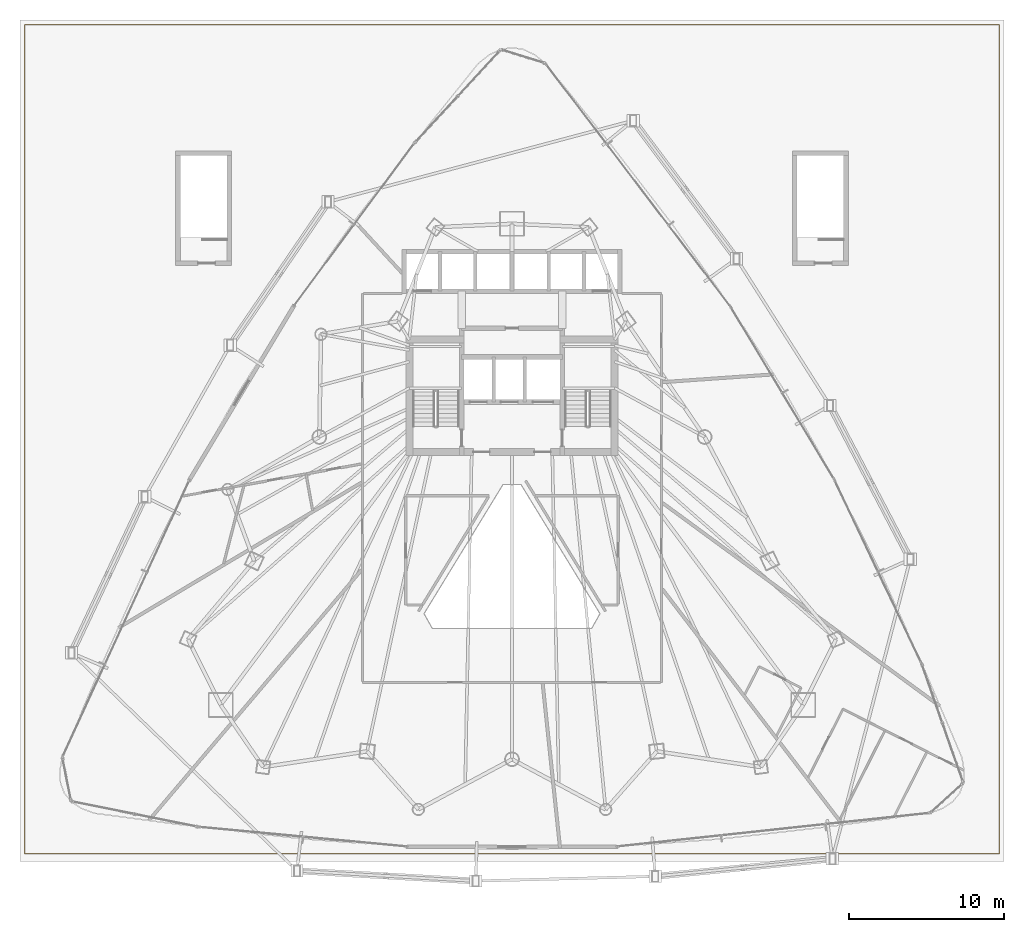
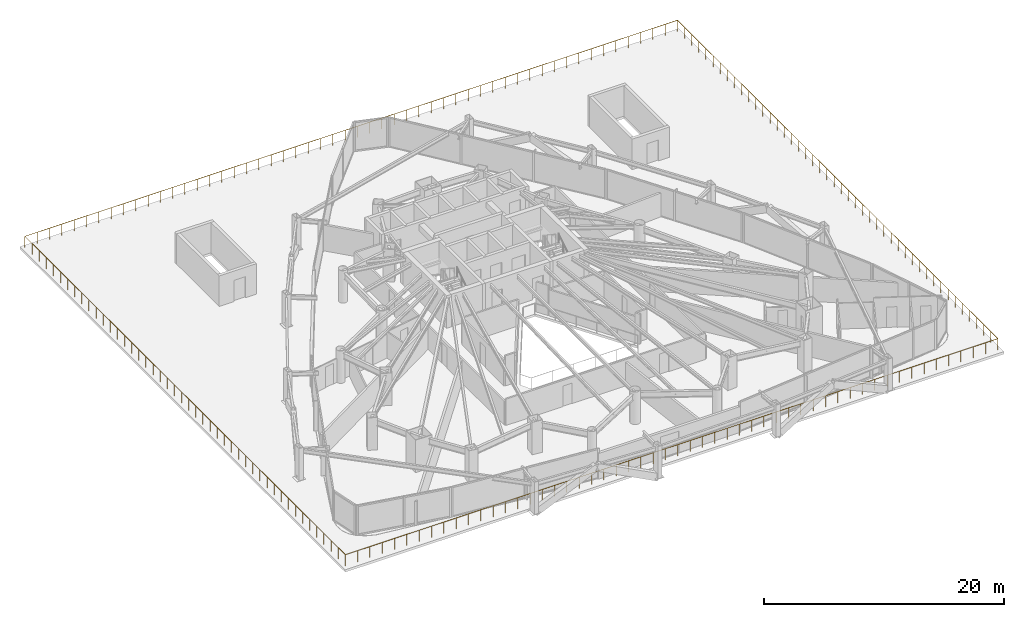
# One storey, part 34 of 36: 1 railing.
"""IFC4 building model written with IfcOpenShell, lengths in metres."""

from ifc_helpers import new_model, si_unit, direction, frame, origin, origin_2d, place, context, subcontext, project, spatial, circle, extrude, material, type_object, element, save


model = new_model("IFC4")

# Units and contexts
model_context = context("Model", 3, precision=1e-05, world=origin(), true_north=direction((0.0, 1.0)))
body_context = subcontext(model_context, "Body", "Model", "MODEL_VIEW")
ifc_project = project(units=[si_unit("LENGTHUNIT", "METRE"), si_unit("AREAUNIT", "SQUARE_METRE"), si_unit("VOLUMEUNIT", "CUBIC_METRE"), si_unit("PLANEANGLEUNIT", "RADIAN"), si_unit("MASSUNIT", "GRAM", prefix="KILO")], contexts=[model_context])

# Site, building, storey
site_placement = place(None, origin())
site = spatial("IfcSite", under=ifc_project, at=site_placement, CompositionType="ELEMENT")
building_placement = place(site_placement, origin())
building = spatial("IfcBuilding", under=site, at=building_placement, Name="Orvanel Arch Residences", CompositionType="ELEMENT")
storey_placement = place(building_placement, frame((0.0, 0.0, 23.60009765625)))
storey = spatial("IfcBuildingStorey", under=building, at=storey_placement, Name="L05", CompositionType="ELEMENT", Elevation=23.60009765625)

# Railing
ifc_material = material(Name="Bronze-anodised aluminium AA6063-T6", Category="aluminium")
railing_type = type_object("IfcRailingType", Name="RL-TER-1150", PredefinedType="GUARDRAIL", material=ifc_material)
railing_placement = place(storey_placement, frame((1.550048828125, 0.75, 0.0)))
element("IfcRailing", 1, at=railing_placement, inside=storey, type_object=railing_type, Name="L05 Planted Podium Roof Terrace Perimeter Guardrail", PredefinedType="GUARDRAIL", context=body_context, shape_type="SweptSolid", body=[
    extrude(circle(Radius=0.02392578125, at=origin_2d()), frame((0.00146484375, 0.0, 1.1259765625), z_axis=(1.0, 0.0, 0.0), x_axis=(0.0, 1.0, 0.0)), (0.0, 0.0, 1.0), 62.89697265625),
    extrude(circle(Radius=0.02392578125, at=origin_2d()), frame((62.89990234375, 0.00146484375, 1.1259765625), z_axis=(0.0, 1.0, 0.0), x_axis=(-1.0, 0.0, 0.0)), (0.0, 0.0, 1.0), 53.4970703125),
    extrude(circle(Radius=0.02392578125, at=origin_2d()), frame((62.8984375, 53.5, 1.1259765625), z_axis=(-1.0, 0.0, 0.0), x_axis=(0.0, -1.0, 0.0)), (0.0, 0.0, 1.0), 62.89697265625),
    extrude(circle(Radius=0.02392578125, at=origin_2d()), frame((0.0, 53.49853515625, 1.1259765625), z_axis=(0.0, -1.0, 0.0), x_axis=(1.0, 0.0, 0.0)), (0.0, 0.0, 1.0), 53.4970703125),
    extrude(circle(Radius=0.02099609375, at=origin_2d()), origin(), (0.0, 0.0, 1.0), 1.099853515625),
    extrude(circle(Radius=0.02099609375, at=origin_2d()), frame((1.186767578125, 0.0, 0.0)), (0.0, 0.0, 1.0), 1.099853515625),
    extrude(circle(Radius=0.02099609375, at=origin_2d()), frame((2.37353515625, 0.0, 0.0)), (0.0, 0.0, 1.0), 1.099853515625),
    extrude(circle(Radius=0.02099609375, at=origin_2d()), frame((3.560302734375, 0.0, 0.0)), (0.0, 0.0, 1.0), 1.099853515625),
    extrude(circle(Radius=0.02099609375, at=origin_2d()), frame((4.7470703125, 0.0, 0.0)), (0.0, 0.0, 1.0), 1.099853515625),
    extrude(circle(Radius=0.02099609375, at=origin_2d()), frame((5.933837890625, 0.0, 0.0)), (0.0, 0.0, 1.0), 1.099853515625),
    extrude(circle(Radius=0.02099609375, at=origin_2d()), frame((7.120849609375, 0.0, 0.0)), (0.0, 0.0, 1.0), 1.099853515625),
    extrude(circle(Radius=0.02099609375, at=origin_2d()), frame((8.3076171875, 0.0, 0.0)), (0.0, 0.0, 1.0), 1.099853515625),
    extrude(circle(Radius=0.02099609375, at=origin_2d()), frame((9.494384765625, 0.0, 0.0)), (0.0, 0.0, 1.0), 1.099853515625),
    extrude(circle(Radius=0.02099609375, at=origin_2d()), frame((10.68115234375, 0.0, 0.0)), (0.0, 0.0, 1.0), 1.099853515625),
    extrude(circle(Radius=0.02099609375, at=origin_2d()), frame((11.867919921875, 0.0, 0.0)), (0.0, 0.0, 1.0), 1.099853515625),
    extrude(circle(Radius=0.02099609375, at=origin_2d()), frame((13.0546875, 0.0, 0.0)), (0.0, 0.0, 1.0), 1.099853515625),
    extrude(circle(Radius=0.02099609375, at=origin_2d()), frame((14.241455078125, 0.0, 0.0)), (0.0, 0.0, 1.0), 1.099853515625),
    extrude(circle(Radius=0.02099609375, at=origin_2d()), frame((15.42822265625, 0.0, 0.0)), (0.0, 0.0, 1.0), 1.099853515625),
    extrude(circle(Radius=0.02099609375, at=origin_2d()), frame((16.614990234375, 0.0, 0.0)), (0.0, 0.0, 1.0), 1.099853515625),
    extrude(circle(Radius=0.02099609375, at=origin_2d()), frame((17.8017578125, 0.0, 0.0)), (0.0, 0.0, 1.0), 1.099853515625),
    extrude(circle(Radius=0.02099609375, at=origin_2d()), frame((18.98876953125, 0.0, 0.0)), (0.0, 0.0, 1.0), 1.099853515625),
    extrude(circle(Radius=0.02099609375, at=origin_2d()), frame((20.175537109375, 0.0, 0.0)), (0.0, 0.0, 1.0), 1.099853515625),
    extrude(circle(Radius=0.02099609375, at=origin_2d()), frame((21.3623046875, 0.0, 0.0)), (0.0, 0.0, 1.0), 1.099853515625),
    extrude(circle(Radius=0.02099609375, at=origin_2d()), frame((22.549072265625, 0.0, 0.0)), (0.0, 0.0, 1.0), 1.099853515625),
    extrude(circle(Radius=0.02099609375, at=origin_2d()), frame((23.73583984375, 0.0, 0.0)), (0.0, 0.0, 1.0), 1.099853515625),
    extrude(circle(Radius=0.02099609375, at=origin_2d()), frame((24.922607421875, 0.0, 0.0)), (0.0, 0.0, 1.0), 1.099853515625),
    extrude(circle(Radius=0.02099609375, at=origin_2d()), frame((26.109375, 0.0, 0.0)), (0.0, 0.0, 1.0), 1.099853515625),
    extrude(circle(Radius=0.02099609375, at=origin_2d()), frame((27.296142578125, 0.0, 0.0)), (0.0, 0.0, 1.0), 1.099853515625),
    extrude(circle(Radius=0.02099609375, at=origin_2d()), frame((28.48291015625, 0.0, 0.0)), (0.0, 0.0, 1.0), 1.099853515625),
    extrude(circle(Radius=0.02099609375, at=origin_2d()), frame((29.669677734375, 0.0, 0.0)), (0.0, 0.0, 1.0), 1.099853515625),
    extrude(circle(Radius=0.02099609375, at=origin_2d()), frame((30.8564453125, 0.0, 0.0)), (0.0, 0.0, 1.0), 1.099853515625),
    extrude(circle(Radius=0.02099609375, at=origin_2d()), frame((32.04345703125, 0.0, 0.0)), (0.0, 0.0, 1.0), 1.099853515625),
    extrude(circle(Radius=0.02099609375, at=origin_2d()), frame((33.230224609375, 0.0, 0.0)), (0.0, 0.0, 1.0), 1.099853515625),
    extrude(circle(Radius=0.02099609375, at=origin_2d()), frame((34.4169921875, 0.0, 0.0)), (0.0, 0.0, 1.0), 1.099853515625),
    extrude(circle(Radius=0.02099609375, at=origin_2d()), frame((35.603759765625, 0.0, 0.0)), (0.0, 0.0, 1.0), 1.099853515625),
    extrude(circle(Radius=0.02099609375, at=origin_2d()), frame((36.79052734375, 0.0, 0.0)), (0.0, 0.0, 1.0), 1.099853515625),
    extrude(circle(Radius=0.02099609375, at=origin_2d()), frame((37.977294921875, 0.0, 0.0)), (0.0, 0.0, 1.0), 1.099853515625),
    extrude(circle(Radius=0.02099609375, at=origin_2d()), frame((39.1640625, 0.0, 0.0)), (0.0, 0.0, 1.0), 1.099853515625),
    extrude(circle(Radius=0.02099609375, at=origin_2d()), frame((40.350830078125, 0.0, 0.0)), (0.0, 0.0, 1.0), 1.099853515625),
    extrude(circle(Radius=0.02099609375, at=origin_2d()), frame((41.53759765625, 0.0, 0.0)), (0.0, 0.0, 1.0), 1.099853515625),
    extrude(circle(Radius=0.02099609375, at=origin_2d()), frame((42.724365234375, 0.0, 0.0)), (0.0, 0.0, 1.0), 1.099853515625),
    extrude(circle(Radius=0.02099609375, at=origin_2d()), frame((43.9111328125, 0.0, 0.0)), (0.0, 0.0, 1.0), 1.099853515625),
    extrude(circle(Radius=0.02099609375, at=origin_2d()), frame((45.09814453125, 0.0, 0.0)), (0.0, 0.0, 1.0), 1.099853515625),
    extrude(circle(Radius=0.02099609375, at=origin_2d()), frame((46.284912109375, 0.0, 0.0)), (0.0, 0.0, 1.0), 1.099853515625),
    extrude(circle(Radius=0.02099609375, at=origin_2d()), frame((47.4716796875, 0.0, 0.0)), (0.0, 0.0, 1.0), 1.099853515625),
    extrude(circle(Radius=0.02099609375, at=origin_2d()), frame((48.658447265625, 0.0, 0.0)), (0.0, 0.0, 1.0), 1.099853515625),
    extrude(circle(Radius=0.02099609375, at=origin_2d()), frame((49.84521484375, 0.0, 0.0)), (0.0, 0.0, 1.0), 1.099853515625),
    extrude(circle(Radius=0.02099609375, at=origin_2d()), frame((51.031982421875, 0.0, 0.0)), (0.0, 0.0, 1.0), 1.099853515625),
    extrude(circle(Radius=0.02099609375, at=origin_2d()), frame((52.21875, 0.0, 0.0)), (0.0, 0.0, 1.0), 1.099853515625),
    extrude(circle(Radius=0.02099609375, at=origin_2d()), frame((53.405517578125, 0.0, 0.0)), (0.0, 0.0, 1.0), 1.099853515625),
    extrude(circle(Radius=0.02099609375, at=origin_2d()), frame((54.59228515625, 0.0, 0.0)), (0.0, 0.0, 1.0), 1.099853515625),
    extrude(circle(Radius=0.02099609375, at=origin_2d()), frame((55.779052734375, 0.0, 0.0)), (0.0, 0.0, 1.0), 1.099853515625),
    extrude(circle(Radius=0.02099609375, at=origin_2d()), frame((56.966064453125, 0.0, 0.0)), (0.0, 0.0, 1.0), 1.099853515625),
    extrude(circle(Radius=0.02099609375, at=origin_2d()), frame((58.15283203125, 0.0, 0.0)), (0.0, 0.0, 1.0), 1.099853515625),
    extrude(circle(Radius=0.02099609375, at=origin_2d()), frame((59.339599609375, 0.0, 0.0)), (0.0, 0.0, 1.0), 1.099853515625),
    extrude(circle(Radius=0.02099609375, at=origin_2d()), frame((60.5263671875, 0.0, 0.0)), (0.0, 0.0, 1.0), 1.099853515625),
    extrude(circle(Radius=0.02099609375, at=origin_2d()), frame((61.713134765625, 0.0, 0.0)), (0.0, 0.0, 1.0), 1.099853515625),
    extrude(circle(Radius=0.02099609375, at=origin_2d()), frame((62.89990234375, 0.0, 0.0)), (0.0, 0.0, 1.0), 1.099853515625),
    extrude(circle(Radius=0.02099609375, at=origin_2d()), frame((62.89990234375, 1.18896484375, 0.0)), (0.0, 0.0, 1.0), 1.099853515625),
    extrude(circle(Radius=0.02099609375, at=origin_2d()), frame((62.89990234375, 2.377685546875, 0.0)), (0.0, 0.0, 1.0), 1.099853515625),
    extrude(circle(Radius=0.02099609375, at=origin_2d()), frame((62.89990234375, 3.566650390625, 0.0)), (0.0, 0.0, 1.0), 1.099853515625),
    extrude(circle(Radius=0.02099609375, at=origin_2d()), frame((62.89990234375, 4.755615234375, 0.0)), (0.0, 0.0, 1.0), 1.099853515625),
    extrude(circle(Radius=0.02099609375, at=origin_2d()), frame((62.89990234375, 5.9443359375, 0.0)), (0.0, 0.0, 1.0), 1.099853515625),
    extrude(circle(Radius=0.02099609375, at=origin_2d()), frame((62.89990234375, 7.13330078125, 0.0)), (0.0, 0.0, 1.0), 1.099853515625),
    extrude(circle(Radius=0.02099609375, at=origin_2d()), frame((62.89990234375, 8.322265625, 0.0)), (0.0, 0.0, 1.0), 1.099853515625),
    extrude(circle(Radius=0.02099609375, at=origin_2d()), frame((62.89990234375, 9.51123046875, 0.0)), (0.0, 0.0, 1.0), 1.099853515625),
    extrude(circle(Radius=0.02099609375, at=origin_2d()), frame((62.89990234375, 10.699951171875, 0.0)), (0.0, 0.0, 1.0), 1.099853515625),
    extrude(circle(Radius=0.02099609375, at=origin_2d()), frame((62.89990234375, 11.888916015625, 0.0)), (0.0, 0.0, 1.0), 1.099853515625),
    extrude(circle(Radius=0.02099609375, at=origin_2d()), frame((62.89990234375, 13.077880859375, 0.0)), (0.0, 0.0, 1.0), 1.099853515625),
    extrude(circle(Radius=0.02099609375, at=origin_2d()), frame((62.89990234375, 14.2666015625, 0.0)), (0.0, 0.0, 1.0), 1.099853515625),
    extrude(circle(Radius=0.02099609375, at=origin_2d()), frame((62.89990234375, 15.45556640625, 0.0)), (0.0, 0.0, 1.0), 1.099853515625),
    extrude(circle(Radius=0.02099609375, at=origin_2d()), frame((62.89990234375, 16.64453125, 0.0)), (0.0, 0.0, 1.0), 1.099853515625),
    extrude(circle(Radius=0.02099609375, at=origin_2d()), frame((62.89990234375, 17.833251953125, 0.0)), (0.0, 0.0, 1.0), 1.099853515625),
    extrude(circle(Radius=0.02099609375, at=origin_2d()), frame((62.89990234375, 19.022216796875, 0.0)), (0.0, 0.0, 1.0), 1.099853515625),
    extrude(circle(Radius=0.02099609375, at=origin_2d()), frame((62.89990234375, 20.211181640625, 0.0)), (0.0, 0.0, 1.0), 1.099853515625),
    extrude(circle(Radius=0.02099609375, at=origin_2d()), frame((62.89990234375, 21.39990234375, 0.0)), (0.0, 0.0, 1.0), 1.099853515625),
    extrude(circle(Radius=0.02099609375, at=origin_2d()), frame((62.89990234375, 22.5888671875, 0.0)), (0.0, 0.0, 1.0), 1.099853515625),
    extrude(circle(Radius=0.02099609375, at=origin_2d()), frame((62.89990234375, 23.77783203125, 0.0)), (0.0, 0.0, 1.0), 1.099853515625),
    extrude(circle(Radius=0.02099609375, at=origin_2d()), frame((62.89990234375, 24.966552734375, 0.0)), (0.0, 0.0, 1.0), 1.099853515625),
    extrude(circle(Radius=0.02099609375, at=origin_2d()), frame((62.89990234375, 26.155517578125, 0.0)), (0.0, 0.0, 1.0), 1.099853515625),
    extrude(circle(Radius=0.02099609375, at=origin_2d()), frame((62.89990234375, 27.344482421875, 0.0)), (0.0, 0.0, 1.0), 1.099853515625),
    extrude(circle(Radius=0.02099609375, at=origin_2d()), frame((62.89990234375, 28.533447265625, 0.0)), (0.0, 0.0, 1.0), 1.099853515625),
    extrude(circle(Radius=0.02099609375, at=origin_2d()), frame((62.89990234375, 29.72216796875, 0.0)), (0.0, 0.0, 1.0), 1.099853515625),
    extrude(circle(Radius=0.02099609375, at=origin_2d()), frame((62.89990234375, 30.9111328125, 0.0)), (0.0, 0.0, 1.0), 1.099853515625),
    extrude(circle(Radius=0.02099609375, at=origin_2d()), frame((62.89990234375, 32.10009765625, 0.0)), (0.0, 0.0, 1.0), 1.099853515625),
    extrude(circle(Radius=0.02099609375, at=origin_2d()), frame((62.89990234375, 33.288818359375, 0.0)), (0.0, 0.0, 1.0), 1.099853515625),
    extrude(circle(Radius=0.02099609375, at=origin_2d()), frame((62.89990234375, 34.477783203125, 0.0)), (0.0, 0.0, 1.0), 1.099853515625),
    extrude(circle(Radius=0.02099609375, at=origin_2d()), frame((62.89990234375, 35.666748046875, 0.0)), (0.0, 0.0, 1.0), 1.099853515625),
    extrude(circle(Radius=0.02099609375, at=origin_2d()), frame((62.89990234375, 36.85546875, 0.0)), (0.0, 0.0, 1.0), 1.099853515625),
    extrude(circle(Radius=0.02099609375, at=origin_2d()), frame((62.89990234375, 38.04443359375, 0.0)), (0.0, 0.0, 1.0), 1.099853515625),
    extrude(circle(Radius=0.02099609375, at=origin_2d()), frame((62.89990234375, 39.2333984375, 0.0)), (0.0, 0.0, 1.0), 1.099853515625),
    extrude(circle(Radius=0.02099609375, at=origin_2d()), frame((62.89990234375, 40.422119140625, 0.0)), (0.0, 0.0, 1.0), 1.099853515625),
    extrude(circle(Radius=0.02099609375, at=origin_2d()), frame((62.89990234375, 41.611083984375, 0.0)), (0.0, 0.0, 1.0), 1.099853515625),
    extrude(circle(Radius=0.02099609375, at=origin_2d()), frame((62.89990234375, 42.800048828125, 0.0)), (0.0, 0.0, 1.0), 1.099853515625),
    extrude(circle(Radius=0.02099609375, at=origin_2d()), frame((62.89990234375, 43.98876953125, 0.0)), (0.0, 0.0, 1.0), 1.099853515625),
    extrude(circle(Radius=0.02099609375, at=origin_2d()), frame((62.89990234375, 45.177734375, 0.0)), (0.0, 0.0, 1.0), 1.099853515625),
    extrude(circle(Radius=0.02099609375, at=origin_2d()), frame((62.89990234375, 46.36669921875, 0.0)), (0.0, 0.0, 1.0), 1.099853515625),
    extrude(circle(Radius=0.02099609375, at=origin_2d()), frame((62.89990234375, 47.5556640625, 0.0)), (0.0, 0.0, 1.0), 1.099853515625),
    extrude(circle(Radius=0.02099609375, at=origin_2d()), frame((62.89990234375, 48.744384765625, 0.0)), (0.0, 0.0, 1.0), 1.099853515625),
    extrude(circle(Radius=0.02099609375, at=origin_2d()), frame((62.89990234375, 49.933349609375, 0.0)), (0.0, 0.0, 1.0), 1.099853515625),
    extrude(circle(Radius=0.02099609375, at=origin_2d()), frame((62.89990234375, 51.122314453125, 0.0)), (0.0, 0.0, 1.0), 1.099853515625),
    extrude(circle(Radius=0.02099609375, at=origin_2d()), frame((62.89990234375, 52.31103515625, 0.0)), (0.0, 0.0, 1.0), 1.099853515625),
    extrude(circle(Radius=0.02099609375, at=origin_2d()), frame((62.89990234375, 53.5, 0.0)), (0.0, 0.0, 1.0), 1.099853515625),
    extrude(circle(Radius=0.02099609375, at=origin_2d()), frame((61.713134765625, 53.5, 0.0)), (0.0, 0.0, 1.0), 1.099853515625),
    extrude(circle(Radius=0.02099609375, at=origin_2d()), frame((60.5263671875, 53.5, 0.0)), (0.0, 0.0, 1.0), 1.099853515625),
    extrude(circle(Radius=0.02099609375, at=origin_2d()), frame((59.339599609375, 53.5, 0.0)), (0.0, 0.0, 1.0), 1.099853515625),
    extrude(circle(Radius=0.02099609375, at=origin_2d()), frame((58.15283203125, 53.5, 0.0)), (0.0, 0.0, 1.0), 1.099853515625),
    extrude(circle(Radius=0.02099609375, at=origin_2d()), frame((56.966064453125, 53.5, 0.0)), (0.0, 0.0, 1.0), 1.099853515625),
    extrude(circle(Radius=0.02099609375, at=origin_2d()), frame((55.779052734375, 53.5, 0.0)), (0.0, 0.0, 1.0), 1.099853515625),
    extrude(circle(Radius=0.02099609375, at=origin_2d()), frame((54.59228515625, 53.5, 0.0)), (0.0, 0.0, 1.0), 1.099853515625),
    extrude(circle(Radius=0.02099609375, at=origin_2d()), frame((53.405517578125, 53.5, 0.0)), (0.0, 0.0, 1.0), 1.099853515625),
    extrude(circle(Radius=0.02099609375, at=origin_2d()), frame((52.21875, 53.5, 0.0)), (0.0, 0.0, 1.0), 1.099853515625),
    extrude(circle(Radius=0.02099609375, at=origin_2d()), frame((51.031982421875, 53.5, 0.0)), (0.0, 0.0, 1.0), 1.099853515625),
    extrude(circle(Radius=0.02099609375, at=origin_2d()), frame((49.84521484375, 53.5, 0.0)), (0.0, 0.0, 1.0), 1.099853515625),
    extrude(circle(Radius=0.02099609375, at=origin_2d()), frame((48.658447265625, 53.5, 0.0)), (0.0, 0.0, 1.0), 1.099853515625),
    extrude(circle(Radius=0.02099609375, at=origin_2d()), frame((47.4716796875, 53.5, 0.0)), (0.0, 0.0, 1.0), 1.099853515625),
    extrude(circle(Radius=0.02099609375, at=origin_2d()), frame((46.284912109375, 53.5, 0.0)), (0.0, 0.0, 1.0), 1.099853515625),
    extrude(circle(Radius=0.02099609375, at=origin_2d()), frame((45.09814453125, 53.5, 0.0)), (0.0, 0.0, 1.0), 1.099853515625),
    extrude(circle(Radius=0.02099609375, at=origin_2d()), frame((43.9111328125, 53.5, 0.0)), (0.0, 0.0, 1.0), 1.099853515625),
    extrude(circle(Radius=0.02099609375, at=origin_2d()), frame((42.724365234375, 53.5, 0.0)), (0.0, 0.0, 1.0), 1.099853515625),
    extrude(circle(Radius=0.02099609375, at=origin_2d()), frame((41.53759765625, 53.5, 0.0)), (0.0, 0.0, 1.0), 1.099853515625),
    extrude(circle(Radius=0.02099609375, at=origin_2d()), frame((40.350830078125, 53.5, 0.0)), (0.0, 0.0, 1.0), 1.099853515625),
    extrude(circle(Radius=0.02099609375, at=origin_2d()), frame((39.1640625, 53.5, 0.0)), (0.0, 0.0, 1.0), 1.099853515625),
    extrude(circle(Radius=0.02099609375, at=origin_2d()), frame((37.977294921875, 53.5, 0.0)), (0.0, 0.0, 1.0), 1.099853515625),
    extrude(circle(Radius=0.02099609375, at=origin_2d()), frame((36.79052734375, 53.5, 0.0)), (0.0, 0.0, 1.0), 1.099853515625),
    extrude(circle(Radius=0.02099609375, at=origin_2d()), frame((35.603759765625, 53.5, 0.0)), (0.0, 0.0, 1.0), 1.099853515625),
    extrude(circle(Radius=0.02099609375, at=origin_2d()), frame((34.4169921875, 53.5, 0.0)), (0.0, 0.0, 1.0), 1.099853515625),
    extrude(circle(Radius=0.02099609375, at=origin_2d()), frame((33.230224609375, 53.5, 0.0)), (0.0, 0.0, 1.0), 1.099853515625),
    extrude(circle(Radius=0.02099609375, at=origin_2d()), frame((32.04345703125, 53.5, 0.0)), (0.0, 0.0, 1.0), 1.099853515625),
    extrude(circle(Radius=0.02099609375, at=origin_2d()), frame((30.8564453125, 53.5, 0.0)), (0.0, 0.0, 1.0), 1.099853515625),
    extrude(circle(Radius=0.02099609375, at=origin_2d()), frame((29.669677734375, 53.5, 0.0)), (0.0, 0.0, 1.0), 1.099853515625),
    extrude(circle(Radius=0.02099609375, at=origin_2d()), frame((28.48291015625, 53.5, 0.0)), (0.0, 0.0, 1.0), 1.099853515625),
    extrude(circle(Radius=0.02099609375, at=origin_2d()), frame((27.296142578125, 53.5, 0.0)), (0.0, 0.0, 1.0), 1.099853515625),
    extrude(circle(Radius=0.02099609375, at=origin_2d()), frame((26.109375, 53.5, 0.0)), (0.0, 0.0, 1.0), 1.099853515625),
    extrude(circle(Radius=0.02099609375, at=origin_2d()), frame((24.922607421875, 53.5, 0.0)), (0.0, 0.0, 1.0), 1.099853515625),
    extrude(circle(Radius=0.02099609375, at=origin_2d()), frame((23.73583984375, 53.5, 0.0)), (0.0, 0.0, 1.0), 1.099853515625),
    extrude(circle(Radius=0.02099609375, at=origin_2d()), frame((22.549072265625, 53.5, 0.0)), (0.0, 0.0, 1.0), 1.099853515625),
    extrude(circle(Radius=0.02099609375, at=origin_2d()), frame((21.3623046875, 53.5, 0.0)), (0.0, 0.0, 1.0), 1.099853515625),
    extrude(circle(Radius=0.02099609375, at=origin_2d()), frame((20.175537109375, 53.5, 0.0)), (0.0, 0.0, 1.0), 1.099853515625),
    extrude(circle(Radius=0.02099609375, at=origin_2d()), frame((18.98876953125, 53.5, 0.0)), (0.0, 0.0, 1.0), 1.099853515625),
    extrude(circle(Radius=0.02099609375, at=origin_2d()), frame((17.8017578125, 53.5, 0.0)), (0.0, 0.0, 1.0), 1.099853515625),
    extrude(circle(Radius=0.02099609375, at=origin_2d()), frame((16.614990234375, 53.5, 0.0)), (0.0, 0.0, 1.0), 1.099853515625),
    extrude(circle(Radius=0.02099609375, at=origin_2d()), frame((15.42822265625, 53.5, 0.0)), (0.0, 0.0, 1.0), 1.099853515625),
    extrude(circle(Radius=0.02099609375, at=origin_2d()), frame((14.241455078125, 53.5, 0.0)), (0.0, 0.0, 1.0), 1.099853515625),
    extrude(circle(Radius=0.02099609375, at=origin_2d()), frame((13.0546875, 53.5, 0.0)), (0.0, 0.0, 1.0), 1.099853515625),
    extrude(circle(Radius=0.02099609375, at=origin_2d()), frame((11.867919921875, 53.5, 0.0)), (0.0, 0.0, 1.0), 1.099853515625),
    extrude(circle(Radius=0.02099609375, at=origin_2d()), frame((10.68115234375, 53.5, 0.0)), (0.0, 0.0, 1.0), 1.099853515625),
    extrude(circle(Radius=0.02099609375, at=origin_2d()), frame((9.494384765625, 53.5, 0.0)), (0.0, 0.0, 1.0), 1.099853515625),
    extrude(circle(Radius=0.02099609375, at=origin_2d()), frame((8.3076171875, 53.5, 0.0)), (0.0, 0.0, 1.0), 1.099853515625),
    extrude(circle(Radius=0.02099609375, at=origin_2d()), frame((7.120849609375, 53.5, 0.0)), (0.0, 0.0, 1.0), 1.099853515625),
    extrude(circle(Radius=0.02099609375, at=origin_2d()), frame((5.933837890625, 53.5, 0.0)), (0.0, 0.0, 1.0), 1.099853515625),
    extrude(circle(Radius=0.02099609375, at=origin_2d()), frame((4.7470703125, 53.5, 0.0)), (0.0, 0.0, 1.0), 1.099853515625),
    extrude(circle(Radius=0.02099609375, at=origin_2d()), frame((3.560302734375, 53.5, 0.0)), (0.0, 0.0, 1.0), 1.099853515625),
    extrude(circle(Radius=0.02099609375, at=origin_2d()), frame((2.37353515625, 53.5, 0.0)), (0.0, 0.0, 1.0), 1.099853515625),
    extrude(circle(Radius=0.02099609375, at=origin_2d()), frame((1.186767578125, 53.5, 0.0)), (0.0, 0.0, 1.0), 1.099853515625),
    extrude(circle(Radius=0.02099609375, at=origin_2d()), frame((0.0, 53.5, 0.0)), (0.0, 0.0, 1.0), 1.099853515625),
    extrude(circle(Radius=0.02099609375, at=origin_2d()), frame((0.0, 52.31103515625, 0.0)), (0.0, 0.0, 1.0), 1.099853515625),
    extrude(circle(Radius=0.02099609375, at=origin_2d()), frame((0.0, 51.122314453125, 0.0)), (0.0, 0.0, 1.0), 1.099853515625),
    extrude(circle(Radius=0.02099609375, at=origin_2d()), frame((0.0, 49.933349609375, 0.0)), (0.0, 0.0, 1.0), 1.099853515625),
    extrude(circle(Radius=0.02099609375, at=origin_2d()), frame((0.0, 48.744384765625, 0.0)), (0.0, 0.0, 1.0), 1.099853515625),
    extrude(circle(Radius=0.02099609375, at=origin_2d()), frame((0.0, 47.5556640625, 0.0)), (0.0, 0.0, 1.0), 1.099853515625),
    extrude(circle(Radius=0.02099609375, at=origin_2d()), frame((0.0, 46.36669921875, 0.0)), (0.0, 0.0, 1.0), 1.099853515625),
    extrude(circle(Radius=0.02099609375, at=origin_2d()), frame((0.0, 45.177734375, 0.0)), (0.0, 0.0, 1.0), 1.099853515625),
    extrude(circle(Radius=0.02099609375, at=origin_2d()), frame((0.0, 43.98876953125, 0.0)), (0.0, 0.0, 1.0), 1.099853515625),
    extrude(circle(Radius=0.02099609375, at=origin_2d()), frame((0.0, 42.800048828125, 0.0)), (0.0, 0.0, 1.0), 1.099853515625),
    extrude(circle(Radius=0.02099609375, at=origin_2d()), frame((0.0, 41.611083984375, 0.0)), (0.0, 0.0, 1.0), 1.099853515625),
    extrude(circle(Radius=0.02099609375, at=origin_2d()), frame((0.0, 40.422119140625, 0.0)), (0.0, 0.0, 1.0), 1.099853515625),
    extrude(circle(Radius=0.02099609375, at=origin_2d()), frame((0.0, 39.2333984375, 0.0)), (0.0, 0.0, 1.0), 1.099853515625),
    extrude(circle(Radius=0.02099609375, at=origin_2d()), frame((0.0, 38.04443359375, 0.0)), (0.0, 0.0, 1.0), 1.099853515625),
    extrude(circle(Radius=0.02099609375, at=origin_2d()), frame((0.0, 36.85546875, 0.0)), (0.0, 0.0, 1.0), 1.099853515625),
    extrude(circle(Radius=0.02099609375, at=origin_2d()), frame((0.0, 35.666748046875, 0.0)), (0.0, 0.0, 1.0), 1.099853515625),
    extrude(circle(Radius=0.02099609375, at=origin_2d()), frame((0.0, 34.477783203125, 0.0)), (0.0, 0.0, 1.0), 1.099853515625),
    extrude(circle(Radius=0.02099609375, at=origin_2d()), frame((0.0, 33.288818359375, 0.0)), (0.0, 0.0, 1.0), 1.099853515625),
    extrude(circle(Radius=0.02099609375, at=origin_2d()), frame((0.0, 32.10009765625, 0.0)), (0.0, 0.0, 1.0), 1.099853515625),
    extrude(circle(Radius=0.02099609375, at=origin_2d()), frame((0.0, 30.9111328125, 0.0)), (0.0, 0.0, 1.0), 1.099853515625),
    extrude(circle(Radius=0.02099609375, at=origin_2d()), frame((0.0, 29.72216796875, 0.0)), (0.0, 0.0, 1.0), 1.099853515625),
    extrude(circle(Radius=0.02099609375, at=origin_2d()), frame((0.0, 28.533447265625, 0.0)), (0.0, 0.0, 1.0), 1.099853515625),
    extrude(circle(Radius=0.02099609375, at=origin_2d()), frame((0.0, 27.344482421875, 0.0)), (0.0, 0.0, 1.0), 1.099853515625),
    extrude(circle(Radius=0.02099609375, at=origin_2d()), frame((0.0, 26.155517578125, 0.0)), (0.0, 0.0, 1.0), 1.099853515625),
    extrude(circle(Radius=0.02099609375, at=origin_2d()), frame((0.0, 24.966552734375, 0.0)), (0.0, 0.0, 1.0), 1.099853515625),
    extrude(circle(Radius=0.02099609375, at=origin_2d()), frame((0.0, 23.77783203125, 0.0)), (0.0, 0.0, 1.0), 1.099853515625),
    extrude(circle(Radius=0.02099609375, at=origin_2d()), frame((0.0, 22.5888671875, 0.0)), (0.0, 0.0, 1.0), 1.099853515625),
    extrude(circle(Radius=0.02099609375, at=origin_2d()), frame((0.0, 21.39990234375, 0.0)), (0.0, 0.0, 1.0), 1.099853515625),
    extrude(circle(Radius=0.02099609375, at=origin_2d()), frame((0.0, 20.211181640625, 0.0)), (0.0, 0.0, 1.0), 1.099853515625),
    extrude(circle(Radius=0.02099609375, at=origin_2d()), frame((0.0, 19.022216796875, 0.0)), (0.0, 0.0, 1.0), 1.099853515625),
    extrude(circle(Radius=0.02099609375, at=origin_2d()), frame((0.0, 17.833251953125, 0.0)), (0.0, 0.0, 1.0), 1.099853515625),
    extrude(circle(Radius=0.02099609375, at=origin_2d()), frame((0.0, 16.64453125, 0.0)), (0.0, 0.0, 1.0), 1.099853515625),
    extrude(circle(Radius=0.02099609375, at=origin_2d()), frame((0.0, 15.45556640625, 0.0)), (0.0, 0.0, 1.0), 1.099853515625),
    extrude(circle(Radius=0.02099609375, at=origin_2d()), frame((0.0, 14.2666015625, 0.0)), (0.0, 0.0, 1.0), 1.099853515625),
    extrude(circle(Radius=0.02099609375, at=origin_2d()), frame((0.0, 13.077880859375, 0.0)), (0.0, 0.0, 1.0), 1.099853515625),
    extrude(circle(Radius=0.02099609375, at=origin_2d()), frame((0.0, 11.888916015625, 0.0)), (0.0, 0.0, 1.0), 1.099853515625),
    extrude(circle(Radius=0.02099609375, at=origin_2d()), frame((0.0, 10.699951171875, 0.0)), (0.0, 0.0, 1.0), 1.099853515625),
    extrude(circle(Radius=0.02099609375, at=origin_2d()), frame((0.0, 9.51123046875, 0.0)), (0.0, 0.0, 1.0), 1.099853515625),
    extrude(circle(Radius=0.02099609375, at=origin_2d()), frame((0.0, 8.322265625, 0.0)), (0.0, 0.0, 1.0), 1.099853515625),
    extrude(circle(Radius=0.02099609375, at=origin_2d()), frame((0.0, 7.13330078125, 0.0)), (0.0, 0.0, 1.0), 1.099853515625),
    extrude(circle(Radius=0.02099609375, at=origin_2d()), frame((0.0, 5.9443359375, 0.0)), (0.0, 0.0, 1.0), 1.099853515625),
    extrude(circle(Radius=0.02099609375, at=origin_2d()), frame((0.0, 4.755615234375, 0.0)), (0.0, 0.0, 1.0), 1.099853515625),
    extrude(circle(Radius=0.02099609375, at=origin_2d()), frame((0.0, 3.566650390625, 0.0)), (0.0, 0.0, 1.0), 1.099853515625),
    extrude(circle(Radius=0.02099609375, at=origin_2d()), frame((0.0, 2.377685546875, 0.0)), (0.0, 0.0, 1.0), 1.099853515625),
    extrude(circle(Radius=0.02099609375, at=origin_2d()), frame((0.0, 1.18896484375, 0.0)), (0.0, 0.0, 1.0), 1.099853515625),
])

save(model, "model.ifc")
